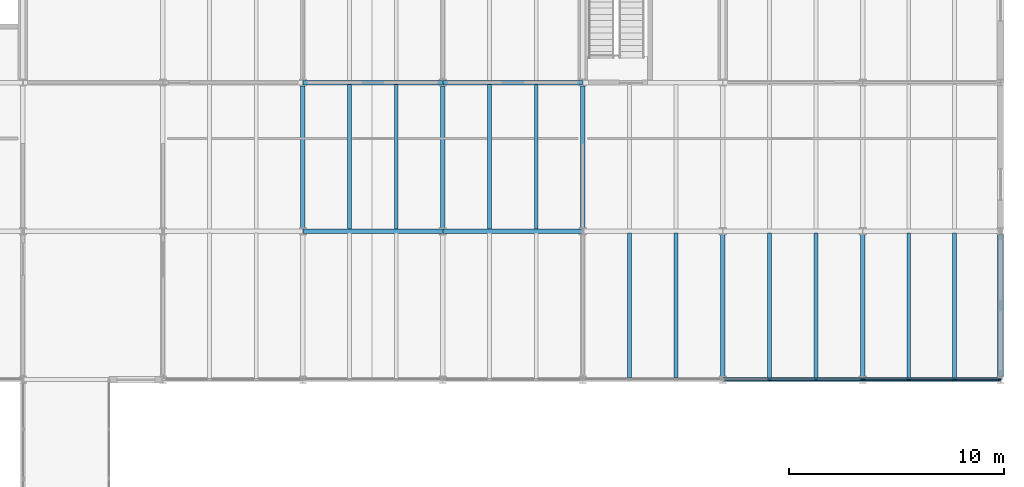
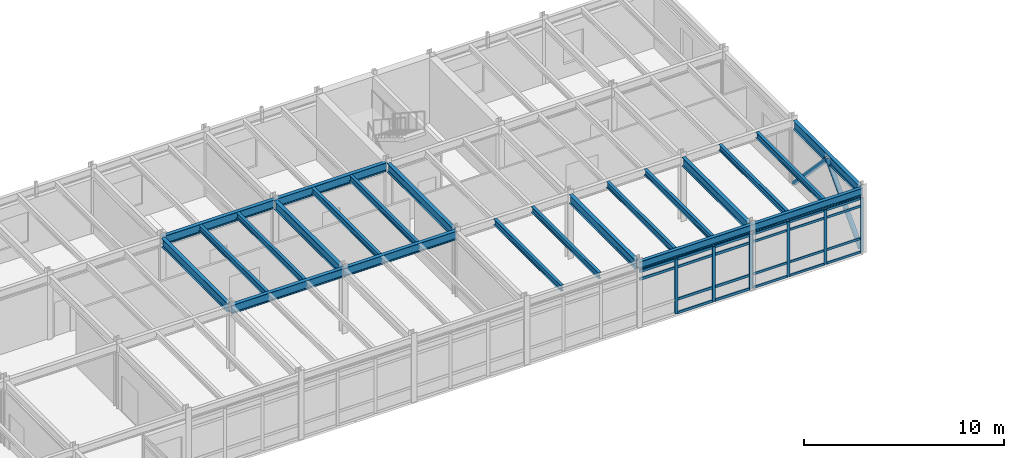
# One storey, part 85 of 144: 31 members, 22 beams, 2 elements without a shape of their own.
"""IFC4 building model written with IfcOpenShell, lengths in metres."""

from ifc_helpers import new_model, si_unit, direction, frame, origin, origin_2d, place, context, subcontext, project, spatial, rectangle, hollow_circle, i_section, extrude, material, layer, layer_set, material_profile, profile_set, type_object, element, aggregate, save


model = new_model("IFC4")

# Units and contexts
model_context = context("Model", 3, precision=1e-05, world=origin(), true_north=direction((0.0, 1.0)))
body_context = subcontext(model_context, "Body", "Model", "MODEL_VIEW")
ifc_project = project(units=[si_unit("LENGTHUNIT", "METRE"), si_unit("AREAUNIT", "SQUARE_METRE"), si_unit("VOLUMEUNIT", "CUBIC_METRE"), si_unit("PLANEANGLEUNIT", "RADIAN"), si_unit("MASSUNIT", "GRAM", prefix="KILO")], contexts=[model_context])

# Site, building, storey
site_placement = place(None, origin())
site = spatial("IfcSite", under=ifc_project, at=site_placement, CompositionType="ELEMENT")
building_placement = place(site_placement, origin())
building = spatial("IfcBuilding", under=site, at=building_placement, Name="Trelmorton Wharf Fire Station", CompositionType="ELEMENT")
storey_placement = place(building_placement, frame((0.0, 0.0, 5.39990234375)))
storey = spatial("IfcBuildingStorey", under=building, at=storey_placement, Name="L01", CompositionType="ELEMENT", Elevation=5.39990234375)

# Beams
ifc_material_1 = material(Name="Steel Grade 350", Category="steel")
ifc_material_profile_1 = material_profile(ifc_material_1, i_section(OverallWidth=0.208984375, OverallDepth=0.528076171875, WebThickness=0.009521484375, FlangeThickness=0.01318359375, FilletRadius=0.013916015625, at=origin_2d()), Name="530UB82.0")
ifc_profile_set_1 = profile_set([ifc_material_profile_1], Name="Steel Grade 350")
beam_type_1 = type_object("IfcBeamType", Name="BM_530UB82", PredefinedType="BEAM", material=ifc_profile_set_1)
for number, where, z_axis, x_axis, name in (
    (1, (130.0048828125, 67.199951171875, 3.666015625), (1.0, 0.0, 0.0), (0.0, 1.0, 0.0), "BM-L01-0520"),
    (2, (136.5048828125, 67.199951171875, 3.666015625), (1.0, 0.0, 0.0), (0.0, 1.0, 0.0), "BM-L01-0521"),
    (3, (130.0048828125, 74.10009765625, 3.666015625), (1.0, 0.0, 0.0), (0.0, 1.0, 0.0), "BM-L01-0539"),
    (4, (136.5048828125, 74.10009765625, 3.666015625), (1.0, 0.0, 0.0), (0.0, 1.0, 0.0), "BM-L01-0540"),
):
    element("IfcBeam", number, at=place(storey_placement, frame(where, z_axis=z_axis, x_axis=x_axis)), inside=storey, type_object=beam_type_1, Name=name, PredefinedType="BEAM", context=body_context, shape_type="SweptSolid", body=[
        extrude(i_section(OverallWidth=0.208984375, OverallDepth=0.528076171875, WebThickness=0.009521484375, FlangeThickness=0.01318359375, FilletRadius=0.013916015625, at=origin_2d()), origin(), (0.0, 0.0, 1.0), 6.490234375),
    ])
ifc_material_profile_2 = material_profile(ifc_material_1, i_section(OverallWidth=0.208984375, OverallDepth=0.532958984375, WebThickness=0.01025390625, FlangeThickness=0.015625, FilletRadius=0.013916015625, at=origin_2d()), Name="530UB92.4")
ifc_profile_set_2 = profile_set([ifc_material_profile_2], Name="Steel Grade 350")
beam_type_2 = type_object("IfcBeamType", Name="BM_530UB92", PredefinedType="BEAM", material=ifc_profile_set_2)
for number, where, z_axis, x_axis, name in (
    (5, (130.0, 67.3564453125, 3.66357421875), (0.0, 1.0, 0.0), (-1.0, 0.0, 0.0), "BM-L01-0650"),
    (6, (136.5, 67.3564453125, 3.66357421875), (0.0, 1.0, 0.0), (-1.0, 0.0, 0.0), "BM-L01-0656"),
    (7, (143.0, 67.3564453125, 3.66357421875), (0.0, 1.0, 0.0), (-1.0, 0.0, 0.0), "BM-L01-0662"),
):
    element("IfcBeam", number, at=place(storey_placement, frame(where, z_axis=z_axis, x_axis=x_axis)), inside=storey, type_object=beam_type_2, Name=name, PredefinedType="BEAM", context=body_context, shape_type="SweptSolid", body=[
        extrude(i_section(OverallWidth=0.208984375, OverallDepth=0.532958984375, WebThickness=0.01025390625, FlangeThickness=0.015625, FilletRadius=0.013916015625, at=origin_2d()), origin(), (0.0, 0.0, 1.0), 6.587158203125),
    ])
for number, where, z_axis, x_axis, name in (
    (8, (149.5, 60.45654296875, 3.66357421875), (0.0, 1.0, 0.0), (-1.0, 0.0, 0.0), "BM-L01-0667"),
    (9, (156.0, 60.45654296875, 3.66357421875), (0.0, 1.0, 0.0), (-1.0, 0.0, 0.0), "BM-L01-0673"),
    (10, (162.39990234375, 60.45654296875, 3.66357421875), (0.0, 1.0, 0.0), (-1.0, 0.0, 0.0), "BM-L01-0679"),
):
    element("IfcBeam", number, at=place(storey_placement, frame(where, z_axis=z_axis, x_axis=x_axis)), inside=storey, type_object=beam_type_2, Name=name, PredefinedType="BEAM", context=body_context, shape_type="SweptSolid", body=[
        extrude(i_section(OverallWidth=0.208984375, OverallDepth=0.532958984375, WebThickness=0.01025390625, FlangeThickness=0.015625, FilletRadius=0.013916015625, at=origin_2d()), origin(), (0.0, 0.0, 1.0), 6.5869140625),
    ])

# Members
ifc_material_2 = material(Name="Steel C350L0 (350 MPa)", Category="steel")
ifc_material_profile_3 = material_profile(ifc_material_2, hollow_circle(Radius=0.136474609375, WallThickness=0.00927734375, at=origin_2d()), Name="273.1x9.3CHS")
ifc_profile_set_3 = profile_set([ifc_material_profile_3], Name="Steel C350L0 (350 MPa)")
member_type_1 = type_object("IfcMemberType", Name="BR_273CHS", PredefinedType="BRACE", material=ifc_profile_set_3)
for number, where, z_axis, x_axis, name in (
    (11, (162.39990234375, 60.45751953125, 0.1201171875), (0.0, 0.689356438088, 0.724422322452), (-1.0, 0.0, 0.0), "CBF-V4-E-L01-A"),
    (12, (162.39990234375, 67.04248046875, 0.1201171875), (0.0, -0.689356438088, 0.724422322452), (1.0, 0.0, 0.0), "CBF-V4-E-L01-B"),
):
    element("IfcMember", number, at=place(storey_placement, frame(where, z_axis=z_axis, x_axis=x_axis)), inside=storey, type_object=member_type_1, Name=name, PredefinedType="BRACE", context=body_context, shape_type="SweptSolid", body=[
        extrude(hollow_circle(Radius=0.136474609375, WallThickness=0.00927734375, at=origin_2d()), origin(), (0.0, 0.0, 1.0), 4.776123046875),
    ])

# Curtain wall, members
ifc_material_3 = material(Name="Anodised aluminium AW-6063", Category="aluminium")
ifc_layer = layer(ifc_material_3, 0.159912109375)
ifc_layer_set = layer_set([ifc_layer], Name="Anodised aluminium AW-6063")
curtain_wall_type = type_object("IfcCurtainWallType", Name="CW_CHIC_A", PredefinedType="USERDEFINED", material=ifc_layer_set)
curtain_wall_1_placement = place(storey_placement, origin())
curtain_wall_1 = element("IfcCurtainWall", 13, at=curtain_wall_1_placement, inside=storey, type_object=curtain_wall_type, Name="CW-V4-L01-129", ObjectType="CHICAGO BAY CURTAIN WALL", PredefinedType="USERDEFINED")
ifc_material_profile_4 = material_profile(ifc_material_3, rectangle(XDim=0.06494140625, YDim=0.159912109375, at=origin_2d()), Name="ALU-65x160")
ifc_profile_set_4 = profile_set([ifc_material_profile_4], Name="Anodised aluminium AW-6063")
member_type_2 = type_object("IfcMemberType", Name="CWM_65x160", PredefinedType="MULLION", material=ifc_profile_set_4)
member_1_placement = place(storey_placement, frame((162.364990234375, 60.300048828125, 0.0), z_axis=(0.0, 0.0, 1.0), x_axis=(0.0, -1.0, 0.0)))
member_1 = element("IfcMember", 14, at=member_1_placement, type_object=member_type_2, Name="CW1 mullion 1", PredefinedType="MULLION", context=body_context, shape_type="SweptSolid", body=[
    extrude(rectangle(XDim=0.06494140625, YDim=0.159912109375, at=origin_2d()), origin(), (0.0, 0.0, 1.0), 3.320068359375),
])
member_2_placement = place(storey_placement, frame((160.264892578125, 60.300048828125, 0.0), z_axis=(0.0, 0.0, 1.0), x_axis=(0.0, -1.0, 0.0)))
member_2 = element("IfcMember", 15, at=member_2_placement, type_object=member_type_2, Name="CW1 mullion 2", PredefinedType="MULLION", context=body_context, shape_type="SweptSolid", body=[
    extrude(rectangle(XDim=0.06494140625, YDim=0.159912109375, at=origin_2d()), origin(), (0.0, 0.0, 1.0), 3.320068359375),
])
member_3_placement = place(storey_placement, frame((158.135009765625, 60.300048828125, 0.0), z_axis=(0.0, 0.0, 1.0), x_axis=(0.0, -1.0, 0.0)))
member_3 = element("IfcMember", 16, at=member_3_placement, type_object=member_type_2, Name="CW1 mullion 3", PredefinedType="MULLION", context=body_context, shape_type="SweptSolid", body=[
    extrude(rectangle(XDim=0.06494140625, YDim=0.159912109375, at=origin_2d()), origin(), (0.0, 0.0, 1.0), 3.320068359375),
])
member_4_placement = place(storey_placement, frame((156.034912109375, 60.300048828125, 0.0), z_axis=(0.0, 0.0, 1.0), x_axis=(0.0, -1.0, 0.0)))
member_4 = element("IfcMember", 17, at=member_4_placement, type_object=member_type_2, Name="CW1 mullion 4", PredefinedType="MULLION", context=body_context, shape_type="SweptSolid", body=[
    extrude(rectangle(XDim=0.06494140625, YDim=0.159912109375, at=origin_2d()), origin(), (0.0, 0.0, 1.0), 3.320068359375),
])

curtain_wall_2_placement = place(storey_placement, origin())
curtain_wall_2 = element("IfcCurtainWall", 18, at=curtain_wall_2_placement, inside=storey, type_object=curtain_wall_type, Name="CW-V4-L01-128", ObjectType="CHICAGO BAY CURTAIN WALL", PredefinedType="USERDEFINED")
ifc_material_profile_5 = material_profile(ifc_material_3, rectangle(XDim=0.074951171875, YDim=0.175048828125, at=origin_2d()), Name="ALU-75x175")
ifc_profile_set_5 = profile_set([ifc_material_profile_5], Name="Anodised aluminium AW-6063")
member_type_3 = type_object("IfcMemberType", Name="CWM_75x175", PredefinedType="MULLION", material=ifc_profile_set_5)
member_5_placement = place(storey_placement, frame((155.965087890625, 60.300048828125, 0.0), z_axis=(0.0, 0.0, 1.0), x_axis=(0.0, -1.0, 0.0)))
member_5 = element("IfcMember", 19, at=member_5_placement, type_object=member_type_3, Name="CW1 mullion 1", PredefinedType="MULLION", context=body_context, shape_type="SweptSolid", body=[
    extrude(rectangle(XDim=0.074951171875, YDim=0.175048828125, at=origin_2d()), origin(), (0.0, 0.0, 1.0), 3.320068359375),
])
member_6_placement = place(storey_placement, frame((153.831787109375, 60.300048828125, 0.0), z_axis=(0.0, 0.0, 1.0), x_axis=(0.0, -1.0, 0.0)))
member_6 = element("IfcMember", 20, at=member_6_placement, type_object=member_type_3, Name="CW1 mullion 2", PredefinedType="MULLION", context=body_context, shape_type="SweptSolid", body=[
    extrude(rectangle(XDim=0.074951171875, YDim=0.175048828125, at=origin_2d()), origin(), (0.0, 0.0, 1.0), 3.320068359375),
])
member_7_placement = place(storey_placement, frame((151.668212890625, 60.300048828125, 0.0), z_axis=(0.0, 0.0, 1.0), x_axis=(0.0, -1.0, 0.0)))
member_7 = element("IfcMember", 21, at=member_7_placement, type_object=member_type_3, Name="CW1 mullion 3", PredefinedType="MULLION", context=body_context, shape_type="SweptSolid", body=[
    extrude(rectangle(XDim=0.074951171875, YDim=0.175048828125, at=origin_2d()), origin(), (0.0, 0.0, 1.0), 3.320068359375),
])

# Member
ifc_material_profile_6 = material_profile(ifc_material_3, rectangle(XDim=0.06494140625, YDim=0.139892578125, at=origin_2d()), Name="ALU-65x140")
ifc_profile_set_6 = profile_set([ifc_material_profile_6], Name="Anodised aluminium AW-6063")
member_type_4 = type_object("IfcMemberType", Name="CWT_65x140", PredefinedType="USERDEFINED", material=ifc_profile_set_6)
member_8_placement = place(storey_placement, frame((162.3349609375, 60.300048828125, 0.030029296875), z_axis=(-1.0, 0.0, 0.0), x_axis=(0.0, -1.0, 0.0)))
member_8 = element("IfcMember", 22, at=member_8_placement, type_object=member_type_4, Name="CW1 transom 1.1", ObjectType="TRANSOM", PredefinedType="USERDEFINED", context=body_context, shape_type="SweptSolid", body=[
    extrude(rectangle(XDim=0.06494140625, YDim=0.139892578125, at=origin_2d()), origin(), (0.0, 0.0, 1.0), 2.0400390625),
])

member_9_placement = place(storey_placement, frame((162.3349609375, 60.300048828125, 0.85009765625), z_axis=(-1.0, 0.0, 0.0), x_axis=(0.0, -1.0, 0.0)))
member_9 = element("IfcMember", 23, at=member_9_placement, type_object=member_type_4, Name="CW1 transom 1.2", ObjectType="TRANSOM", PredefinedType="USERDEFINED", context=body_context, shape_type="SweptSolid", body=[
    extrude(rectangle(XDim=0.06494140625, YDim=0.139892578125, at=origin_2d()), origin(), (0.0, 0.0, 1.0), 2.0400390625),
])

member_10_placement = place(storey_placement, frame((162.3349609375, 60.300048828125, 2.820068359375), z_axis=(-1.0, 0.0, 0.0), x_axis=(0.0, -1.0, 0.0)))
member_10 = element("IfcMember", 24, at=member_10_placement, type_object=member_type_4, Name="CW1 transom 1.3", ObjectType="TRANSOM", PredefinedType="USERDEFINED", context=body_context, shape_type="SweptSolid", body=[
    extrude(rectangle(XDim=0.06494140625, YDim=0.139892578125, at=origin_2d()), origin(), (0.0, 0.0, 1.0), 2.0400390625),
])

member_11_placement = place(storey_placement, frame((162.3349609375, 60.300048828125, 3.2900390625), z_axis=(-1.0, 0.0, 0.0), x_axis=(0.0, -1.0, 0.0)))
member_11 = element("IfcMember", 25, at=member_11_placement, type_object=member_type_4, Name="CW1 transom 1.4", ObjectType="TRANSOM", PredefinedType="USERDEFINED", context=body_context, shape_type="SweptSolid", body=[
    extrude(rectangle(XDim=0.06494140625, YDim=0.139892578125, at=origin_2d()), origin(), (0.0, 0.0, 1.0), 2.0400390625),
])

member_12_placement = place(storey_placement, frame((160.235107421875, 60.300048828125, 0.030029296875), z_axis=(-1.0, 0.0, 0.0), x_axis=(0.0, -1.0, 0.0)))
member_12 = element("IfcMember", 26, at=member_12_placement, type_object=member_type_4, Name="CW1 transom 2.1", ObjectType="TRANSOM", PredefinedType="USERDEFINED", context=body_context, shape_type="SweptSolid", body=[
    extrude(rectangle(XDim=0.06494140625, YDim=0.139892578125, at=origin_2d()), origin(), (0.0, 0.0, 1.0), 2.070068359375),
])

member_13_placement = place(storey_placement, frame((160.235107421875, 60.300048828125, 0.85009765625), z_axis=(-1.0, 0.0, 0.0), x_axis=(0.0, -1.0, 0.0)))
member_13 = element("IfcMember", 27, at=member_13_placement, type_object=member_type_4, Name="CW1 transom 2.2", ObjectType="TRANSOM", PredefinedType="USERDEFINED", context=body_context, shape_type="SweptSolid", body=[
    extrude(rectangle(XDim=0.06494140625, YDim=0.139892578125, at=origin_2d()), origin(), (0.0, 0.0, 1.0), 2.070068359375),
])

member_14_placement = place(storey_placement, frame((160.235107421875, 60.300048828125, 2.820068359375), z_axis=(-1.0, 0.0, 0.0), x_axis=(0.0, -1.0, 0.0)))
member_14 = element("IfcMember", 28, at=member_14_placement, type_object=member_type_4, Name="CW1 transom 2.3", ObjectType="TRANSOM", PredefinedType="USERDEFINED", context=body_context, shape_type="SweptSolid", body=[
    extrude(rectangle(XDim=0.06494140625, YDim=0.139892578125, at=origin_2d()), origin(), (0.0, 0.0, 1.0), 2.070068359375),
])

member_15_placement = place(storey_placement, frame((160.235107421875, 60.300048828125, 3.2900390625), z_axis=(-1.0, 0.0, 0.0), x_axis=(0.0, -1.0, 0.0)))
member_15 = element("IfcMember", 29, at=member_15_placement, type_object=member_type_4, Name="CW1 transom 2.4", ObjectType="TRANSOM", PredefinedType="USERDEFINED", context=body_context, shape_type="SweptSolid", body=[
    extrude(rectangle(XDim=0.06494140625, YDim=0.139892578125, at=origin_2d()), origin(), (0.0, 0.0, 1.0), 2.070068359375),
])

member_16_placement = place(storey_placement, frame((158.10498046875, 60.300048828125, 0.030029296875), z_axis=(-1.0, 0.0, 0.0), x_axis=(0.0, -1.0, 0.0)))
member_16 = element("IfcMember", 30, at=member_16_placement, type_object=member_type_4, Name="CW1 transom 3.1", ObjectType="TRANSOM", PredefinedType="USERDEFINED", context=body_context, shape_type="SweptSolid", body=[
    extrude(rectangle(XDim=0.06494140625, YDim=0.139892578125, at=origin_2d()), origin(), (0.0, 0.0, 1.0), 2.0400390625),
])

member_17_placement = place(storey_placement, frame((158.10498046875, 60.300048828125, 0.85009765625), z_axis=(-1.0, 0.0, 0.0), x_axis=(0.0, -1.0, 0.0)))
member_17 = element("IfcMember", 31, at=member_17_placement, type_object=member_type_4, Name="CW1 transom 3.2", ObjectType="TRANSOM", PredefinedType="USERDEFINED", context=body_context, shape_type="SweptSolid", body=[
    extrude(rectangle(XDim=0.06494140625, YDim=0.139892578125, at=origin_2d()), origin(), (0.0, 0.0, 1.0), 2.0400390625),
])

member_18_placement = place(storey_placement, frame((158.10498046875, 60.300048828125, 2.820068359375), z_axis=(-1.0, 0.0, 0.0), x_axis=(0.0, -1.0, 0.0)))
member_18 = element("IfcMember", 32, at=member_18_placement, type_object=member_type_4, Name="CW1 transom 3.3", ObjectType="TRANSOM", PredefinedType="USERDEFINED", context=body_context, shape_type="SweptSolid", body=[
    extrude(rectangle(XDim=0.06494140625, YDim=0.139892578125, at=origin_2d()), origin(), (0.0, 0.0, 1.0), 2.0400390625),
])

member_19_placement = place(storey_placement, frame((158.10498046875, 60.300048828125, 3.2900390625), z_axis=(-1.0, 0.0, 0.0), x_axis=(0.0, -1.0, 0.0)))
member_19 = element("IfcMember", 33, at=member_19_placement, type_object=member_type_4, Name="CW1 transom 3.4", ObjectType="TRANSOM", PredefinedType="USERDEFINED", context=body_context, shape_type="SweptSolid", body=[
    extrude(rectangle(XDim=0.06494140625, YDim=0.139892578125, at=origin_2d()), origin(), (0.0, 0.0, 1.0), 2.0400390625),
])

aggregate(curtain_wall_1, [member_1, member_2, member_3, member_4, member_8, member_9, member_10, member_11, member_12, member_13, member_14, member_15, member_16, member_17, member_18, member_19])

ifc_material_profile_7 = material_profile(ifc_material_3, rectangle(XDim=0.074951171875, YDim=0.155029296875, at=origin_2d()), Name="ALU-75x155")
ifc_profile_set_7 = profile_set([ifc_material_profile_7], Name="Anodised aluminium AW-6063")
member_type_5 = type_object("IfcMemberType", Name="CWT_75x155", PredefinedType="USERDEFINED", material=ifc_profile_set_7)
member_20_placement = place(storey_placement, frame((155.93505859375, 60.300048828125, 0.030029296875), z_axis=(-1.0, 0.0, 0.0), x_axis=(0.0, -1.0, 0.0)))
member_20 = element("IfcMember", 34, at=member_20_placement, type_object=member_type_5, Name="CW1 transom 1.1", ObjectType="TRANSOM", PredefinedType="USERDEFINED", context=body_context, shape_type="SweptSolid", body=[
    extrude(rectangle(XDim=0.074951171875, YDim=0.155029296875, at=origin_2d()), origin(), (0.0, 0.0, 1.0), 2.073486328125),
])

member_21_placement = place(storey_placement, frame((155.93505859375, 60.300048828125, 0.85009765625), z_axis=(-1.0, 0.0, 0.0), x_axis=(0.0, -1.0, 0.0)))
member_21 = element("IfcMember", 35, at=member_21_placement, type_object=member_type_5, Name="CW1 transom 1.2", ObjectType="TRANSOM", PredefinedType="USERDEFINED", context=body_context, shape_type="SweptSolid", body=[
    extrude(rectangle(XDim=0.074951171875, YDim=0.155029296875, at=origin_2d()), origin(), (0.0, 0.0, 1.0), 2.073486328125),
])

member_22_placement = place(storey_placement, frame((155.93505859375, 60.300048828125, 2.820068359375), z_axis=(-1.0, 0.0, 0.0), x_axis=(0.0, -1.0, 0.0)))
member_22 = element("IfcMember", 36, at=member_22_placement, type_object=member_type_5, Name="CW1 transom 1.3", ObjectType="TRANSOM", PredefinedType="USERDEFINED", context=body_context, shape_type="SweptSolid", body=[
    extrude(rectangle(XDim=0.074951171875, YDim=0.155029296875, at=origin_2d()), origin(), (0.0, 0.0, 1.0), 2.073486328125),
])

member_23_placement = place(storey_placement, frame((155.93505859375, 60.300048828125, 3.2900390625), z_axis=(-1.0, 0.0, 0.0), x_axis=(0.0, -1.0, 0.0)))
member_23 = element("IfcMember", 37, at=member_23_placement, type_object=member_type_5, Name="CW1 transom 1.4", ObjectType="TRANSOM", PredefinedType="USERDEFINED", context=body_context, shape_type="SweptSolid", body=[
    extrude(rectangle(XDim=0.074951171875, YDim=0.155029296875, at=origin_2d()), origin(), (0.0, 0.0, 1.0), 2.073486328125),
])

member_24_placement = place(storey_placement, frame((153.8017578125, 60.300048828125, 0.030029296875), z_axis=(-1.0, 0.0, 0.0), x_axis=(0.0, -1.0, 0.0)))
member_24 = element("IfcMember", 38, at=member_24_placement, type_object=member_type_5, Name="CW1 transom 2.1", ObjectType="TRANSOM", PredefinedType="USERDEFINED", context=body_context, shape_type="SweptSolid", body=[
    extrude(rectangle(XDim=0.074951171875, YDim=0.155029296875, at=origin_2d()), origin(), (0.0, 0.0, 1.0), 2.103515625),
])

member_25_placement = place(storey_placement, frame((153.8017578125, 60.300048828125, 0.85009765625), z_axis=(-1.0, 0.0, 0.0), x_axis=(0.0, -1.0, 0.0)))
member_25 = element("IfcMember", 39, at=member_25_placement, type_object=member_type_5, Name="CW1 transom 2.2", ObjectType="TRANSOM", PredefinedType="USERDEFINED", context=body_context, shape_type="SweptSolid", body=[
    extrude(rectangle(XDim=0.074951171875, YDim=0.155029296875, at=origin_2d()), origin(), (0.0, 0.0, 1.0), 2.103515625),
])

member_26_placement = place(storey_placement, frame((153.8017578125, 60.300048828125, 2.820068359375), z_axis=(-1.0, 0.0, 0.0), x_axis=(0.0, -1.0, 0.0)))
member_26 = element("IfcMember", 40, at=member_26_placement, type_object=member_type_5, Name="CW1 transom 2.3", ObjectType="TRANSOM", PredefinedType="USERDEFINED", context=body_context, shape_type="SweptSolid", body=[
    extrude(rectangle(XDim=0.074951171875, YDim=0.155029296875, at=origin_2d()), origin(), (0.0, 0.0, 1.0), 2.103515625),
])

member_27_placement = place(storey_placement, frame((153.8017578125, 60.300048828125, 3.2900390625), z_axis=(-1.0, 0.0, 0.0), x_axis=(0.0, -1.0, 0.0)))
member_27 = element("IfcMember", 41, at=member_27_placement, type_object=member_type_5, Name="CW1 transom 2.4", ObjectType="TRANSOM", PredefinedType="USERDEFINED", context=body_context, shape_type="SweptSolid", body=[
    extrude(rectangle(XDim=0.074951171875, YDim=0.155029296875, at=origin_2d()), origin(), (0.0, 0.0, 1.0), 2.103515625),
])

member_28_placement = place(storey_placement, frame((151.638427734375, 60.300048828125, 2.820068359375), z_axis=(-1.0, 0.0, 0.0), x_axis=(0.0, -1.0, 0.0)))
member_28 = element("IfcMember", 42, at=member_28_placement, type_object=member_type_5, Name="CW1 transom 3.3", ObjectType="TRANSOM", PredefinedType="USERDEFINED", context=body_context, shape_type="SweptSolid", body=[
    extrude(rectangle(XDim=0.074951171875, YDim=0.155029296875, at=origin_2d()), origin(), (0.0, 0.0, 1.0), 2.073486328125),
])

member_29_placement = place(storey_placement, frame((151.638427734375, 60.300048828125, 3.2900390625), z_axis=(-1.0, 0.0, 0.0), x_axis=(0.0, -1.0, 0.0)))
member_29 = element("IfcMember", 43, at=member_29_placement, type_object=member_type_5, Name="CW1 transom 3.4", ObjectType="TRANSOM", PredefinedType="USERDEFINED", context=body_context, shape_type="SweptSolid", body=[
    extrude(rectangle(XDim=0.074951171875, YDim=0.155029296875, at=origin_2d()), origin(), (0.0, 0.0, 1.0), 2.073486328125),
])

aggregate(curtain_wall_2, [member_5, member_6, member_7, member_20, member_21, member_22, member_23, member_24, member_25, member_26, member_27, member_28, member_29])

# Beams
ifc_material_profile_8 = material_profile(ifc_material_1, i_section(OverallWidth=0.172119140625, OverallDepth=0.35888671875, WebThickness=0.008056640625, FlangeThickness=0.012939453125, FilletRadius=0.011474609375, at=origin_2d()), Name="360UB56.7")
ifc_profile_set_8 = profile_set([ifc_material_profile_8], Name="Steel Grade 350")
beam_type_3 = type_object("IfcBeamType", Name="JS_360UB57", PredefinedType="JOIST", material=ifc_profile_set_8)
for number, where, z_axis, x_axis, name in (
    (44, (132.166748046875, 67.2900390625, 3.75048828125), (0.0, 1.0, 0.0), (-1.0, 0.0, 0.0), "JS-L01-0187"),
    (45, (134.333251953125, 67.2900390625, 3.75048828125), (0.0, 1.0, 0.0), (-1.0, 0.0, 0.0), "JS-L01-0188"),
    (46, (138.666748046875, 67.2900390625, 3.75048828125), (0.0, 1.0, 0.0), (-1.0, 0.0, 0.0), "JS-L01-0197"),
    (47, (140.833251953125, 67.2900390625, 3.75048828125), (0.0, 1.0, 0.0), (-1.0, 0.0, 0.0), "JS-L01-0198"),
):
    element("IfcBeam", number, at=place(storey_placement, frame(where, z_axis=z_axis, x_axis=x_axis)), inside=storey, type_object=beam_type_3, Name=name, PredefinedType="JOIST", context=body_context, shape_type="SweptSolid", body=[
        extrude(i_section(OverallWidth=0.172119140625, OverallDepth=0.35888671875, WebThickness=0.008056640625, FlangeThickness=0.012939453125, FilletRadius=0.011474609375, at=origin_2d()), origin(), (0.0, 0.0, 1.0), 6.719970703125),
    ])
for number, where, z_axis, x_axis, name in (
    (48, (145.166748046875, 60.389892578125, 3.75048828125), (0.0, 1.0, 0.0), (-1.0, 0.0, 0.0), "JS-L01-0203"),
    (49, (147.333251953125, 60.389892578125, 3.75048828125), (0.0, 1.0, 0.0), (-1.0, 0.0, 0.0), "JS-L01-0204"),
    (50, (151.666748046875, 60.389892578125, 3.75048828125), (0.0, 1.0, 0.0), (-1.0, 0.0, 0.0), "JS-L01-0211"),
    (51, (153.833251953125, 60.389892578125, 3.75048828125), (0.0, 1.0, 0.0), (-1.0, 0.0, 0.0), "JS-L01-0212"),
    (52, (158.13330078125, 60.389892578125, 3.75048828125), (0.0, 1.0, 0.0), (-1.0, 0.0, 0.0), "JS-L01-0219"),
    (53, (160.2666015625, 60.389892578125, 3.75048828125), (0.0, 1.0, 0.0), (-1.0, 0.0, 0.0), "JS-L01-0220"),
):
    element("IfcBeam", number, at=place(storey_placement, frame(where, z_axis=z_axis, x_axis=x_axis)), inside=storey, type_object=beam_type_3, Name=name, PredefinedType="JOIST", context=body_context, shape_type="SweptSolid", body=[
        extrude(i_section(OverallWidth=0.172119140625, OverallDepth=0.35888671875, WebThickness=0.008056640625, FlangeThickness=0.012939453125, FilletRadius=0.011474609375, at=origin_2d()), origin(), (0.0, 0.0, 1.0), 6.72021484375),
    ])
ifc_material_profile_9 = material_profile(ifc_material_1, i_section(OverallWidth=0.18994140625, OverallDepth=0.45703125, WebThickness=0.009033203125, FlangeThickness=0.014404296875, FilletRadius=0.011474609375, at=origin_2d()), Name="460UB74.6")
ifc_profile_set_9 = profile_set([ifc_material_profile_9], Name="Steel Grade 350")
beam_type_4 = type_object("IfcBeamType", Name="SP_460UB75", PredefinedType="SPANDREL", material=ifc_profile_set_9)
beam_1_placement = place(storey_placement, frame((149.5048828125, 60.300048828125, 3.70166015625), z_axis=(1.0, 0.0, 0.0), x_axis=(0.0, 1.0, 0.0)))
element("IfcBeam", 54, at=beam_1_placement, inside=storey, type_object=beam_type_4, Name="BM-L01-0504", PredefinedType="SPANDREL", context=body_context, shape_type="SweptSolid", body=[
    extrude(i_section(OverallWidth=0.18994140625, OverallDepth=0.45703125, WebThickness=0.009033203125, FlangeThickness=0.014404296875, FilletRadius=0.011474609375, at=origin_2d()), origin(), (0.0, 0.0, 1.0), 6.490234375),
])
beam_2_placement = place(storey_placement, frame((156.0048828125, 60.300048828125, 3.70166015625), z_axis=(1.0, 0.0, 0.0), x_axis=(0.0, 1.0, 0.0)))
element("IfcBeam", 55, at=beam_2_placement, inside=storey, type_object=beam_type_4, Name="BM-L01-0505", PredefinedType="SPANDREL", context=body_context, shape_type="SweptSolid", body=[
    extrude(i_section(OverallWidth=0.18994140625, OverallDepth=0.45703125, WebThickness=0.009033203125, FlangeThickness=0.014404296875, FilletRadius=0.011474609375, at=origin_2d()), origin(), (0.0, 0.0, 1.0), 6.39013671875),
])

save(model, "model.ifc")
